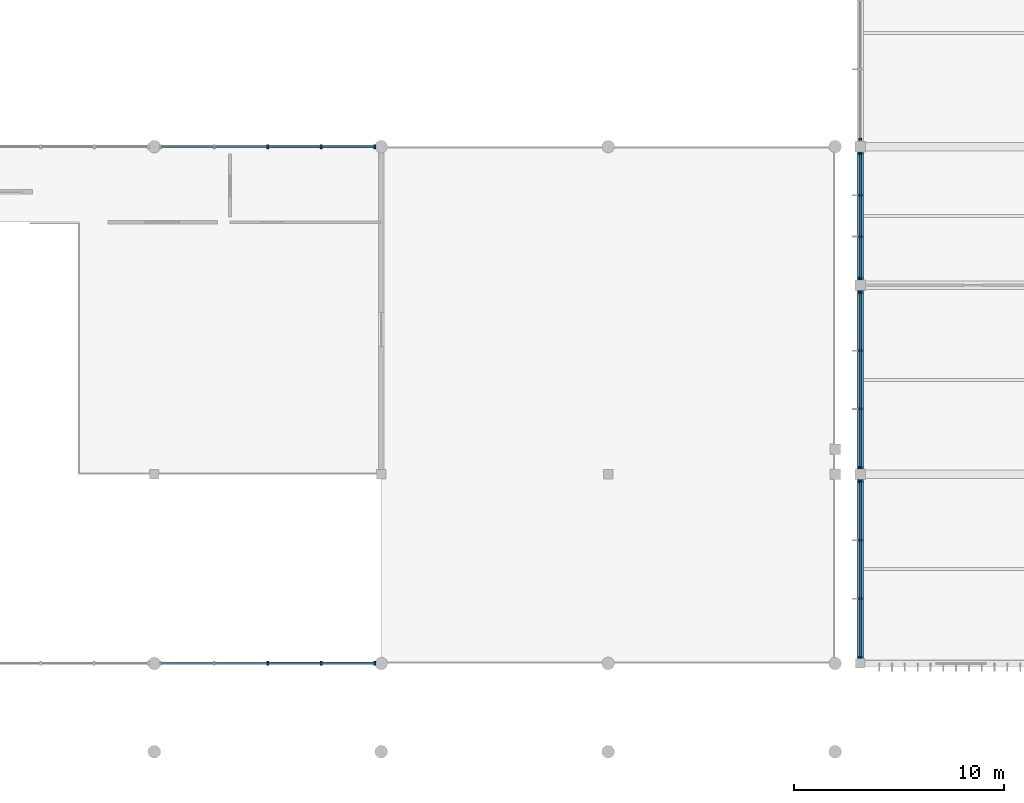
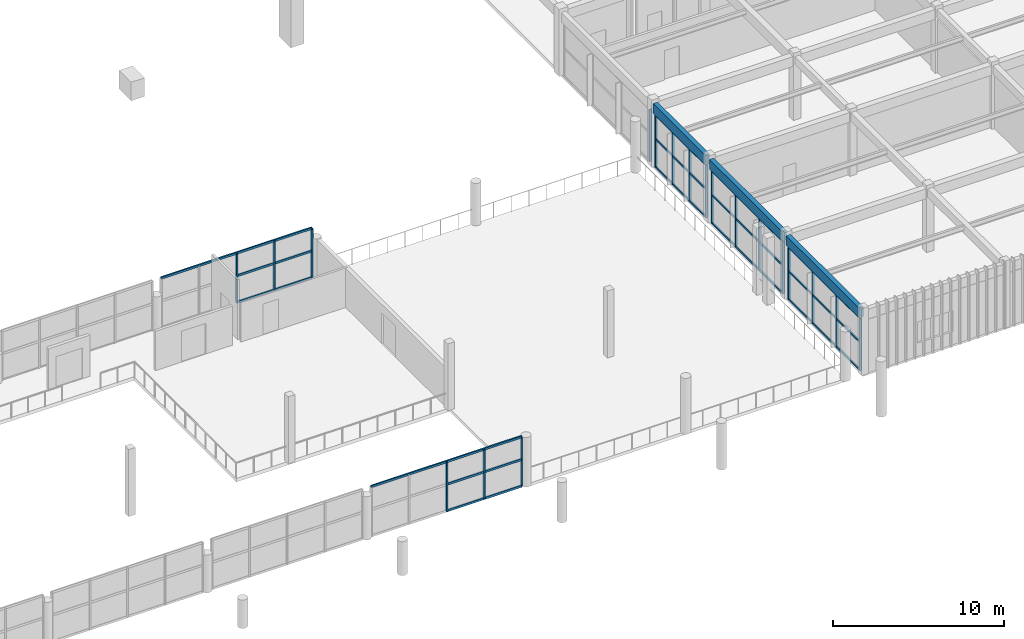
# One storey, part 27 of 74: 50 members, 3 beams, 6 elements without a shape of their own.
"""IFC4 building model written with IfcOpenShell, lengths in metres."""

from ifc_helpers import new_model, si_unit, direction, frame, origin, origin_2d, place, context, subcontext, project, spatial, rectangle, extrude, material, material_profile, profile_set, type_object, element, aggregate, save


model = new_model("IFC4")

# Units and contexts
model_context = context("Model", 3, precision=1e-05, world=origin(), true_north=direction((0.0, 1.0)))
body_context = subcontext(model_context, "Body", "Model", "MODEL_VIEW")
ifc_project = project(units=[si_unit("LENGTHUNIT", "METRE"), si_unit("AREAUNIT", "SQUARE_METRE"), si_unit("VOLUMEUNIT", "CUBIC_METRE"), si_unit("PLANEANGLEUNIT", "RADIAN"), si_unit("MASSUNIT", "GRAM", prefix="KILO")], contexts=[model_context])

# Site, building, storey
site_placement = place(None, origin())
site = spatial("IfcSite", under=ifc_project, at=site_placement, CompositionType="ELEMENT")
building_placement = place(site_placement, origin())
building = spatial("IfcBuilding", under=site, at=building_placement, Name="Suirenkawa Promenade Aquatics Centre", CompositionType="ELEMENT")
storey_placement = place(building_placement, frame((0.0, 0.0, 4.800048828125)))
storey = spatial("IfcBuildingStorey", under=building, at=storey_placement, Name="L01", CompositionType="ELEMENT", Elevation=4.800048828125)

# Beams
ifc_material_1 = material(Name="Concrete M40", Category="concrete")
ifc_material_profile_1 = material_profile(ifc_material_1, rectangle(XDim=0.300048828125, YDim=0.699951171875, at=origin_2d()), Name="RC SPANDREL 300x700", Category="concrete")
ifc_profile_set_1 = profile_set([ifc_material_profile_1], Name="Concrete M40")
beam_type = type_object("IfcBeamType", Name="BT-SPANDREL-300x700", PredefinedType="SPANDREL", material=ifc_profile_set_1)
beam_1_placement = place(storey_placement, frame((156.0, 4.4189453125, 4.18994140625), z_axis=(0.0, 1.0, 0.0), x_axis=(-1.0, 0.0, 0.0)))
element("IfcBeam", 1, at=beam_1_placement, inside=storey, type_object=beam_type, Name="Floor beam SP-01 BM-1699", PredefinedType="SPANDREL", context=body_context, shape_type="SweptSolid", body=[
    extrude(rectangle(XDim=0.300048828125, YDim=0.699951171875, at=origin_2d()), origin(), (0.0, 0.0, 1.0), 8.537109375),
])
beam_2_placement = place(storey_placement, frame((156.0, 13.444091796875, 4.18994140625), z_axis=(0.0, 1.0, 0.0), x_axis=(-1.0, 0.0, 0.0)))
element("IfcBeam", 2, at=beam_2_placement, inside=storey, type_object=beam_type, Name="Floor beam SP-01 BM-1700", PredefinedType="SPANDREL", context=body_context, shape_type="SweptSolid", body=[
    extrude(rectangle(XDim=0.300048828125, YDim=0.699951171875, at=origin_2d()), origin(), (0.0, 0.0, 1.0), 8.511962890625),
])
beam_3_placement = place(storey_placement, frame((156.0, 22.444091796875, 4.18994140625), z_axis=(0.0, 1.0, 0.0), x_axis=(-1.0, 0.0, 0.0)))
element("IfcBeam", 3, at=beam_3_placement, inside=storey, type_object=beam_type, Name="Floor beam SP-01 BM-1701", PredefinedType="SPANDREL", context=body_context, shape_type="SweptSolid", body=[
    extrude(rectangle(XDim=0.300048828125, YDim=0.699951171875, at=origin_2d()), origin(), (0.0, 0.0, 1.0), 6.11181640625),
])

# Curtain wall, members
ifc_material_2 = material(Name="Anodised aluminium 6063-T6", Category="aluminium")
curtain_wall_type_1 = type_object("IfcCurtainWallType", Name="CWAT-V4WL01-28", PredefinedType="NOTDEFINED", material=ifc_material_2)
curtain_wall_1_placement = place(storey_placement, origin())
curtain_wall_1 = element("IfcCurtainWall", 4, at=curtain_wall_1_placement, inside=storey, type_object=curtain_wall_type_1, Name="Curtain wall CWA-28 CW-071", PredefinedType="NOTDEFINED")
ifc_material_profile_2 = material_profile(ifc_material_2, rectangle(XDim=0.090087890625, YDim=0.159912109375, at=origin_2d()), Name="ALU MULL 90x160", Category="aluminium")
ifc_profile_set_2 = profile_set([ifc_material_profile_2], Name="Anodised aluminium 6063-T6")
member_type_1 = type_object("IfcMemberType", Name="CWM-160x90", PredefinedType="MULLION", material=ifc_profile_set_2)
member_1_placement = place(storey_placement, frame((156.0, 4.4990234375, 0.0), z_axis=(0.0, 0.0, 1.0), x_axis=(0.0, 1.0, 0.0)))
member_1 = element("IfcMember", 5, at=member_1_placement, type_object=member_type_1, Name="Mullion ML-03 CWM-01431", PredefinedType="MULLION", context=body_context, shape_type="SweptSolid", body=[
    extrude(rectangle(XDim=0.090087890625, YDim=0.159912109375, at=origin_2d()), origin(), (0.0, 0.0, 1.0), 3.719970703125),
])
member_2_placement = place(storey_placement, frame((156.0, 7.282958984375, 0.0), z_axis=(0.0, 0.0, 1.0), x_axis=(0.0, 1.0, 0.0)))
member_2 = element("IfcMember", 6, at=member_2_placement, type_object=member_type_1, Name="Mullion ML-03 CWM-01432", PredefinedType="MULLION", context=body_context, shape_type="SweptSolid", body=[
    extrude(rectangle(XDim=0.090087890625, YDim=0.159912109375, at=origin_2d()), origin(), (0.0, 0.0, 1.0), 3.719970703125),
])
member_3_placement = place(storey_placement, frame((156.0, 10.06689453125, 0.0), z_axis=(0.0, 0.0, 1.0), x_axis=(0.0, 1.0, 0.0)))
member_3 = element("IfcMember", 7, at=member_3_placement, type_object=member_type_1, Name="Mullion ML-03 CWM-01433", PredefinedType="MULLION", context=body_context, shape_type="SweptSolid", body=[
    extrude(rectangle(XDim=0.090087890625, YDim=0.159912109375, at=origin_2d()), origin(), (0.0, 0.0, 1.0), 3.719970703125),
])
member_4_placement = place(storey_placement, frame((156.0, 12.85107421875, 0.0), z_axis=(0.0, 0.0, 1.0), x_axis=(0.0, 1.0, 0.0)))
member_4 = element("IfcMember", 8, at=member_4_placement, type_object=member_type_1, Name="Mullion ML-03 CWM-01434", PredefinedType="MULLION", context=body_context, shape_type="SweptSolid", body=[
    extrude(rectangle(XDim=0.090087890625, YDim=0.159912109375, at=origin_2d()), origin(), (0.0, 0.0, 1.0), 3.719970703125),
])

curtain_wall_type_2 = type_object("IfcCurtainWallType", Name="CWAT-V4WL01-30", PredefinedType="NOTDEFINED", material=ifc_material_2)
curtain_wall_2_placement = place(storey_placement, origin())
curtain_wall_2 = element("IfcCurtainWall", 9, at=curtain_wall_2_placement, inside=storey, type_object=curtain_wall_type_2, Name="Curtain wall CWA-30 CW-073", PredefinedType="NOTDEFINED")
member_5_placement = place(storey_placement, frame((156.0, 13.549072265625, 0.0), z_axis=(0.0, 0.0, 1.0), x_axis=(0.0, 1.0, 0.0)))
member_5 = element("IfcMember", 10, at=member_5_placement, type_object=member_type_1, Name="Mullion ML-03 CWM-01465", PredefinedType="MULLION", context=body_context, shape_type="SweptSolid", body=[
    extrude(rectangle(XDim=0.090087890625, YDim=0.159912109375, at=origin_2d()), origin(), (0.0, 0.0, 1.0), 3.719970703125),
])
member_6_placement = place(storey_placement, frame((156.0, 16.31640625, 0.0), z_axis=(0.0, 0.0, 1.0), x_axis=(0.0, 1.0, 0.0)))
member_6 = element("IfcMember", 11, at=member_6_placement, type_object=member_type_1, Name="Mullion ML-03 CWM-01466", PredefinedType="MULLION", context=body_context, shape_type="SweptSolid", body=[
    extrude(rectangle(XDim=0.090087890625, YDim=0.159912109375, at=origin_2d()), origin(), (0.0, 0.0, 1.0), 3.719970703125),
])
member_7_placement = place(storey_placement, frame((156.0, 19.083740234375, 0.0), z_axis=(0.0, 0.0, 1.0), x_axis=(0.0, 1.0, 0.0)))
member_7 = element("IfcMember", 12, at=member_7_placement, type_object=member_type_1, Name="Mullion ML-03 CWM-01467", PredefinedType="MULLION", context=body_context, shape_type="SweptSolid", body=[
    extrude(rectangle(XDim=0.090087890625, YDim=0.159912109375, at=origin_2d()), origin(), (0.0, 0.0, 1.0), 3.719970703125),
])
member_8_placement = place(storey_placement, frame((156.0, 21.85107421875, 0.0), z_axis=(0.0, 0.0, 1.0), x_axis=(0.0, 1.0, 0.0)))
member_8 = element("IfcMember", 13, at=member_8_placement, type_object=member_type_1, Name="Mullion ML-03 CWM-01468", PredefinedType="MULLION", context=body_context, shape_type="SweptSolid", body=[
    extrude(rectangle(XDim=0.090087890625, YDim=0.159912109375, at=origin_2d()), origin(), (0.0, 0.0, 1.0), 3.719970703125),
])

curtain_wall_type_3 = type_object("IfcCurtainWallType", Name="CWAT-V4WL01-32", PredefinedType="NOTDEFINED", material=ifc_material_2)
curtain_wall_3_placement = place(storey_placement, origin())
curtain_wall_3 = element("IfcCurtainWall", 14, at=curtain_wall_3_placement, inside=storey, type_object=curtain_wall_type_3, Name="Curtain wall CWA-32 CW-075", PredefinedType="NOTDEFINED")
member_9_placement = place(storey_placement, frame((156.0, 22.549072265625, 0.0), z_axis=(0.0, 0.0, 1.0), x_axis=(0.0, 1.0, 0.0)))
member_9 = element("IfcMember", 15, at=member_9_placement, type_object=member_type_1, Name="Mullion ML-03 CWM-01499", PredefinedType="MULLION", context=body_context, shape_type="SweptSolid", body=[
    extrude(rectangle(XDim=0.090087890625, YDim=0.159912109375, at=origin_2d()), origin(), (0.0, 0.0, 1.0), 3.719970703125),
])
member_10_placement = place(storey_placement, frame((156.0, 24.516357421875, 0.0), z_axis=(0.0, 0.0, 1.0), x_axis=(0.0, 1.0, 0.0)))
member_10 = element("IfcMember", 16, at=member_10_placement, type_object=member_type_1, Name="Mullion ML-03 CWM-01500", PredefinedType="MULLION", context=body_context, shape_type="SweptSolid", body=[
    extrude(rectangle(XDim=0.090087890625, YDim=0.159912109375, at=origin_2d()), origin(), (0.0, 0.0, 1.0), 3.719970703125),
])
member_11_placement = place(storey_placement, frame((156.0, 26.483642578125, 0.0), z_axis=(0.0, 0.0, 1.0), x_axis=(0.0, 1.0, 0.0)))
member_11 = element("IfcMember", 17, at=member_11_placement, type_object=member_type_1, Name="Mullion ML-03 CWM-01501", PredefinedType="MULLION", context=body_context, shape_type="SweptSolid", body=[
    extrude(rectangle(XDim=0.090087890625, YDim=0.159912109375, at=origin_2d()), origin(), (0.0, 0.0, 1.0), 3.719970703125),
])
member_12_placement = place(storey_placement, frame((156.0, 28.450927734375, 0.0), z_axis=(0.0, 0.0, 1.0), x_axis=(0.0, 1.0, 0.0)))
member_12 = element("IfcMember", 18, at=member_12_placement, type_object=member_type_1, Name="Mullion ML-03 CWM-01502", PredefinedType="MULLION", context=body_context, shape_type="SweptSolid", body=[
    extrude(rectangle(XDim=0.090087890625, YDim=0.159912109375, at=origin_2d()), origin(), (0.0, 0.0, 1.0), 3.719970703125),
])

# Curtain wall, member
curtain_wall_type_4 = type_object("IfcCurtainWallType", Name="CWAT-V4WL01-34", PredefinedType="NOTDEFINED", material=ifc_material_2)
curtain_wall_4_placement = place(storey_placement, origin())
curtain_wall_4 = element("IfcCurtainWall", 19, at=curtain_wall_4_placement, inside=storey, type_object=curtain_wall_type_4, Name="Curtain wall CWA-34 CW-077", PredefinedType="NOTDEFINED")
member_13_placement = place(storey_placement, frame((156.0, 29.14892578125, 0.0), z_axis=(0.0, 0.0, 1.0), x_axis=(0.0, 1.0, 0.0)))
member_13 = element("IfcMember", 20, at=member_13_placement, type_object=member_type_1, Name="Mullion ML-03 CWM-01533", PredefinedType="MULLION", context=body_context, shape_type="SweptSolid", body=[
    extrude(rectangle(XDim=0.090087890625, YDim=0.159912109375, at=origin_2d()), origin(), (0.0, 0.0, 1.0), 3.719970703125),
])
aggregate(curtain_wall_4, [member_13])

# Curtain wall, members
curtain_wall_type_5 = type_object("IfcCurtainWallType", Name="CWAT-V3SL1-24", PredefinedType="NOTDEFINED", material=ifc_material_2)
curtain_wall_5_placement = place(storey_placement, origin())
curtain_wall_5 = element("IfcCurtainWall", 21, at=curtain_wall_5_placement, inside=storey, type_object=curtain_wall_type_5, Name="Curtain wall CWA-24 CW-065", PredefinedType="NOTDEFINED")
ifc_material_profile_3 = material_profile(ifc_material_2, rectangle(XDim=0.094970703125, YDim=0.18994140625, at=origin_2d()), Name="ALU MULL 95x190", Category="aluminium")
ifc_profile_set_3 = profile_set([ifc_material_profile_3], Name="Anodised aluminium 6063-T6")
member_type_2 = type_object("IfcMemberType", Name="CWM-190x95", PredefinedType="MULLION", material=ifc_profile_set_3)
member_14_placement = place(storey_placement, frame((132.90087890625, 4.199951171875, 0.0), z_axis=(0.0, 0.0, 1.0), x_axis=(-1.0, 0.0, 0.0)))
member_14 = element("IfcMember", 22, at=member_14_placement, type_object=member_type_2, Name="Mullion ML-02 CWM-01299", PredefinedType="MULLION", context=body_context, shape_type="SweptSolid", body=[
    extrude(rectangle(XDim=0.094970703125, YDim=0.18994140625, at=origin_2d()), origin(), (0.0, 0.0, 1.0), 3.52001953125),
])
member_15_placement = place(storey_placement, frame((130.3505859375, 4.199951171875, 0.0), z_axis=(0.0, 0.0, 1.0), x_axis=(-1.0, 0.0, 0.0)))
member_15 = element("IfcMember", 23, at=member_15_placement, type_object=member_type_2, Name="Mullion ML-02 CWM-01300", PredefinedType="MULLION", context=body_context, shape_type="SweptSolid", body=[
    extrude(rectangle(XDim=0.094970703125, YDim=0.18994140625, at=origin_2d()), origin(), (0.0, 0.0, 1.0), 3.52001953125),
])
member_16_placement = place(storey_placement, frame((127.800048828125, 4.199951171875, 0.0), z_axis=(0.0, 0.0, 1.0), x_axis=(-1.0, 0.0, 0.0)))
member_16 = element("IfcMember", 24, at=member_16_placement, type_object=member_type_2, Name="Mullion ML-02 CWM-01301", PredefinedType="MULLION", context=body_context, shape_type="SweptSolid", body=[
    extrude(rectangle(XDim=0.094970703125, YDim=0.18994140625, at=origin_2d()), origin(), (0.0, 0.0, 1.0), 3.52001953125),
])

curtain_wall_type_6 = type_object("IfcCurtainWallType", Name="CWAT-V3NL1-25", PredefinedType="NOTDEFINED", material=ifc_material_2)
curtain_wall_6_placement = place(storey_placement, origin())
curtain_wall_6 = element("IfcCurtainWall", 25, at=curtain_wall_6_placement, inside=storey, type_object=curtain_wall_type_6, Name="Curtain wall CWA-25 CW-066", PredefinedType="NOTDEFINED")
member_17_placement = place(storey_placement, frame((127.800048828125, 28.800048828125, 0.0), z_axis=(0.0, 0.0, 1.0), x_axis=(1.0, 0.0, 0.0)))
member_17 = element("IfcMember", 26, at=member_17_placement, type_object=member_type_2, Name="Mullion ML-02 CWM-01323", PredefinedType="MULLION", context=body_context, shape_type="SweptSolid", body=[
    extrude(rectangle(XDim=0.094970703125, YDim=0.18994140625, at=origin_2d()), origin(), (0.0, 0.0, 1.0), 3.52001953125),
])
member_18_placement = place(storey_placement, frame((130.3505859375, 28.800048828125, 0.0), z_axis=(0.0, 0.0, 1.0), x_axis=(1.0, 0.0, 0.0)))
member_18 = element("IfcMember", 27, at=member_18_placement, type_object=member_type_2, Name="Mullion ML-02 CWM-01324", PredefinedType="MULLION", context=body_context, shape_type="SweptSolid", body=[
    extrude(rectangle(XDim=0.094970703125, YDim=0.18994140625, at=origin_2d()), origin(), (0.0, 0.0, 1.0), 3.52001953125),
])
member_19_placement = place(storey_placement, frame((132.90087890625, 28.800048828125, 0.0), z_axis=(0.0, 0.0, 1.0), x_axis=(1.0, 0.0, 0.0)))
member_19 = element("IfcMember", 28, at=member_19_placement, type_object=member_type_2, Name="Mullion ML-02 CWM-01325", PredefinedType="MULLION", context=body_context, shape_type="SweptSolid", body=[
    extrude(rectangle(XDim=0.094970703125, YDim=0.18994140625, at=origin_2d()), origin(), (0.0, 0.0, 1.0), 3.52001953125),
])

# Member
ifc_material_profile_4 = material_profile(ifc_material_2, rectangle(XDim=0.090087890625, YDim=0.1298828125, at=origin_2d()), Name="ALU TRAN 90x130", Category="aluminium")
ifc_profile_set_4 = profile_set([ifc_material_profile_4], Name="Anodised aluminium 6063-T6")
member_type_3 = type_object("IfcMemberType", Name="CWT-130x90", PredefinedType="USERDEFINED", material=ifc_profile_set_4)
member_20_placement = place(storey_placement, frame((156.0, 4.4990234375, 0.0), z_axis=(0.0, 1.0, 0.0), x_axis=(-1.0, 0.0, 0.0)))
member_20 = element("IfcMember", 29, at=member_20_placement, type_object=member_type_3, Name="Transom TR-03 CWT-01435", ObjectType="TRANSOM", PredefinedType="USERDEFINED", context=body_context, shape_type="SweptSolid", body=[
    extrude(rectangle(XDim=0.090087890625, YDim=0.1298828125, at=origin_2d()), origin(), (0.0, 0.0, 1.0), 2.783935546875),
])

member_21_placement = place(storey_placement, frame((156.0, 7.282958984375, 0.0), z_axis=(0.0, 1.0, 0.0), x_axis=(-1.0, 0.0, 0.0)))
member_21 = element("IfcMember", 30, at=member_21_placement, type_object=member_type_3, Name="Transom TR-03 CWT-01436", ObjectType="TRANSOM", PredefinedType="USERDEFINED", context=body_context, shape_type="SweptSolid", body=[
    extrude(rectangle(XDim=0.090087890625, YDim=0.1298828125, at=origin_2d()), origin(), (0.0, 0.0, 1.0), 2.783935546875),
])

member_22_placement = place(storey_placement, frame((156.0, 10.06689453125, 0.0), z_axis=(0.0, 1.0, 0.0), x_axis=(-1.0, 0.0, 0.0)))
member_22 = element("IfcMember", 31, at=member_22_placement, type_object=member_type_3, Name="Transom TR-03 CWT-01437", ObjectType="TRANSOM", PredefinedType="USERDEFINED", context=body_context, shape_type="SweptSolid", body=[
    extrude(rectangle(XDim=0.090087890625, YDim=0.1298828125, at=origin_2d()), origin(), (0.0, 0.0, 1.0), 2.7841796875),
])

member_23_placement = place(storey_placement, frame((156.0, 4.4990234375, 2.0), z_axis=(0.0, 1.0, 0.0), x_axis=(-1.0, 0.0, 0.0)))
member_23 = element("IfcMember", 32, at=member_23_placement, type_object=member_type_3, Name="Transom TR-03 CWT-01438", ObjectType="TRANSOM", PredefinedType="USERDEFINED", context=body_context, shape_type="SweptSolid", body=[
    extrude(rectangle(XDim=0.090087890625, YDim=0.1298828125, at=origin_2d()), origin(), (0.0, 0.0, 1.0), 2.783935546875),
])

member_24_placement = place(storey_placement, frame((156.0, 7.282958984375, 2.0), z_axis=(0.0, 1.0, 0.0), x_axis=(-1.0, 0.0, 0.0)))
member_24 = element("IfcMember", 33, at=member_24_placement, type_object=member_type_3, Name="Transom TR-03 CWT-01439", ObjectType="TRANSOM", PredefinedType="USERDEFINED", context=body_context, shape_type="SweptSolid", body=[
    extrude(rectangle(XDim=0.090087890625, YDim=0.1298828125, at=origin_2d()), origin(), (0.0, 0.0, 1.0), 2.783935546875),
])

member_25_placement = place(storey_placement, frame((156.0, 10.06689453125, 2.0), z_axis=(0.0, 1.0, 0.0), x_axis=(-1.0, 0.0, 0.0)))
member_25 = element("IfcMember", 34, at=member_25_placement, type_object=member_type_3, Name="Transom TR-03 CWT-01440", ObjectType="TRANSOM", PredefinedType="USERDEFINED", context=body_context, shape_type="SweptSolid", body=[
    extrude(rectangle(XDim=0.090087890625, YDim=0.1298828125, at=origin_2d()), origin(), (0.0, 0.0, 1.0), 2.7841796875),
])

member_26_placement = place(storey_placement, frame((156.0, 4.4990234375, 3.719970703125), z_axis=(0.0, 1.0, 0.0), x_axis=(-1.0, 0.0, 0.0)))
member_26 = element("IfcMember", 35, at=member_26_placement, type_object=member_type_3, Name="Roofline transom TR-03 CWT-01441", ObjectType="TRANSOM", PredefinedType="USERDEFINED", context=body_context, shape_type="SweptSolid", body=[
    extrude(rectangle(XDim=0.090087890625, YDim=0.1298828125, at=origin_2d()), origin(), (0.0, 0.0, 1.0), 8.35205078125),
])

aggregate(curtain_wall_1, [member_1, member_2, member_3, member_4, member_20, member_21, member_22, member_23, member_24, member_25, member_26])

member_27_placement = place(storey_placement, frame((156.0, 13.549072265625, 0.0), z_axis=(0.0, 1.0, 0.0), x_axis=(-1.0, 0.0, 0.0)))
member_27 = element("IfcMember", 36, at=member_27_placement, type_object=member_type_3, Name="Transom TR-03 CWT-01469", ObjectType="TRANSOM", PredefinedType="USERDEFINED", context=body_context, shape_type="SweptSolid", body=[
    extrude(rectangle(XDim=0.090087890625, YDim=0.1298828125, at=origin_2d()), origin(), (0.0, 0.0, 1.0), 2.767333984375),
])

member_28_placement = place(storey_placement, frame((156.0, 16.31640625, 0.0), z_axis=(0.0, 1.0, 0.0), x_axis=(-1.0, 0.0, 0.0)))
member_28 = element("IfcMember", 37, at=member_28_placement, type_object=member_type_3, Name="Transom TR-03 CWT-01470", ObjectType="TRANSOM", PredefinedType="USERDEFINED", context=body_context, shape_type="SweptSolid", body=[
    extrude(rectangle(XDim=0.090087890625, YDim=0.1298828125, at=origin_2d()), origin(), (0.0, 0.0, 1.0), 2.767333984375),
])

member_29_placement = place(storey_placement, frame((156.0, 19.083740234375, 0.0), z_axis=(0.0, 1.0, 0.0), x_axis=(-1.0, 0.0, 0.0)))
member_29 = element("IfcMember", 38, at=member_29_placement, type_object=member_type_3, Name="Transom TR-03 CWT-01471", ObjectType="TRANSOM", PredefinedType="USERDEFINED", context=body_context, shape_type="SweptSolid", body=[
    extrude(rectangle(XDim=0.090087890625, YDim=0.1298828125, at=origin_2d()), origin(), (0.0, 0.0, 1.0), 2.767333984375),
])

member_30_placement = place(storey_placement, frame((156.0, 13.549072265625, 2.0), z_axis=(0.0, 1.0, 0.0), x_axis=(-1.0, 0.0, 0.0)))
member_30 = element("IfcMember", 39, at=member_30_placement, type_object=member_type_3, Name="Transom TR-03 CWT-01472", ObjectType="TRANSOM", PredefinedType="USERDEFINED", context=body_context, shape_type="SweptSolid", body=[
    extrude(rectangle(XDim=0.090087890625, YDim=0.1298828125, at=origin_2d()), origin(), (0.0, 0.0, 1.0), 2.767333984375),
])

member_31_placement = place(storey_placement, frame((156.0, 16.31640625, 2.0), z_axis=(0.0, 1.0, 0.0), x_axis=(-1.0, 0.0, 0.0)))
member_31 = element("IfcMember", 40, at=member_31_placement, type_object=member_type_3, Name="Transom TR-03 CWT-01473", ObjectType="TRANSOM", PredefinedType="USERDEFINED", context=body_context, shape_type="SweptSolid", body=[
    extrude(rectangle(XDim=0.090087890625, YDim=0.1298828125, at=origin_2d()), origin(), (0.0, 0.0, 1.0), 2.767333984375),
])

member_32_placement = place(storey_placement, frame((156.0, 19.083740234375, 2.0), z_axis=(0.0, 1.0, 0.0), x_axis=(-1.0, 0.0, 0.0)))
member_32 = element("IfcMember", 41, at=member_32_placement, type_object=member_type_3, Name="Transom TR-03 CWT-01474", ObjectType="TRANSOM", PredefinedType="USERDEFINED", context=body_context, shape_type="SweptSolid", body=[
    extrude(rectangle(XDim=0.090087890625, YDim=0.1298828125, at=origin_2d()), origin(), (0.0, 0.0, 1.0), 2.767333984375),
])

member_33_placement = place(storey_placement, frame((156.0, 13.549072265625, 3.719970703125), z_axis=(0.0, 1.0, 0.0), x_axis=(-1.0, 0.0, 0.0)))
member_33 = element("IfcMember", 42, at=member_33_placement, type_object=member_type_3, Name="Roofline transom TR-03 CWT-01475", ObjectType="TRANSOM", PredefinedType="USERDEFINED", context=body_context, shape_type="SweptSolid", body=[
    extrude(rectangle(XDim=0.090087890625, YDim=0.1298828125, at=origin_2d()), origin(), (0.0, 0.0, 1.0), 8.302001953125),
])

aggregate(curtain_wall_2, [member_5, member_6, member_7, member_8, member_27, member_28, member_29, member_30, member_31, member_32, member_33])

member_34_placement = place(storey_placement, frame((156.0, 22.549072265625, 0.0), z_axis=(0.0, 1.0, 0.0), x_axis=(-1.0, 0.0, 0.0)))
member_34 = element("IfcMember", 43, at=member_34_placement, type_object=member_type_3, Name="Transom TR-03 CWT-01503", ObjectType="TRANSOM", PredefinedType="USERDEFINED", context=body_context, shape_type="SweptSolid", body=[
    extrude(rectangle(XDim=0.090087890625, YDim=0.1298828125, at=origin_2d()), origin(), (0.0, 0.0, 1.0), 1.96728515625),
])

member_35_placement = place(storey_placement, frame((156.0, 24.516357421875, 0.0), z_axis=(0.0, 1.0, 0.0), x_axis=(-1.0, 0.0, 0.0)))
member_35 = element("IfcMember", 44, at=member_35_placement, type_object=member_type_3, Name="Transom TR-03 CWT-01504", ObjectType="TRANSOM", PredefinedType="USERDEFINED", context=body_context, shape_type="SweptSolid", body=[
    extrude(rectangle(XDim=0.090087890625, YDim=0.1298828125, at=origin_2d()), origin(), (0.0, 0.0, 1.0), 1.96728515625),
])

member_36_placement = place(storey_placement, frame((156.0, 26.483642578125, 0.0), z_axis=(0.0, 1.0, 0.0), x_axis=(-1.0, 0.0, 0.0)))
member_36 = element("IfcMember", 45, at=member_36_placement, type_object=member_type_3, Name="Transom TR-03 CWT-01505", ObjectType="TRANSOM", PredefinedType="USERDEFINED", context=body_context, shape_type="SweptSolid", body=[
    extrude(rectangle(XDim=0.090087890625, YDim=0.1298828125, at=origin_2d()), origin(), (0.0, 0.0, 1.0), 1.96728515625),
])

member_37_placement = place(storey_placement, frame((156.0, 22.549072265625, 2.0), z_axis=(0.0, 1.0, 0.0), x_axis=(-1.0, 0.0, 0.0)))
member_37 = element("IfcMember", 46, at=member_37_placement, type_object=member_type_3, Name="Transom TR-03 CWT-01506", ObjectType="TRANSOM", PredefinedType="USERDEFINED", context=body_context, shape_type="SweptSolid", body=[
    extrude(rectangle(XDim=0.090087890625, YDim=0.1298828125, at=origin_2d()), origin(), (0.0, 0.0, 1.0), 1.96728515625),
])

member_38_placement = place(storey_placement, frame((156.0, 24.516357421875, 2.0), z_axis=(0.0, 1.0, 0.0), x_axis=(-1.0, 0.0, 0.0)))
member_38 = element("IfcMember", 47, at=member_38_placement, type_object=member_type_3, Name="Transom TR-03 CWT-01507", ObjectType="TRANSOM", PredefinedType="USERDEFINED", context=body_context, shape_type="SweptSolid", body=[
    extrude(rectangle(XDim=0.090087890625, YDim=0.1298828125, at=origin_2d()), origin(), (0.0, 0.0, 1.0), 1.96728515625),
])

member_39_placement = place(storey_placement, frame((156.0, 26.483642578125, 2.0), z_axis=(0.0, 1.0, 0.0), x_axis=(-1.0, 0.0, 0.0)))
member_39 = element("IfcMember", 48, at=member_39_placement, type_object=member_type_3, Name="Transom TR-03 CWT-01508", ObjectType="TRANSOM", PredefinedType="USERDEFINED", context=body_context, shape_type="SweptSolid", body=[
    extrude(rectangle(XDim=0.090087890625, YDim=0.1298828125, at=origin_2d()), origin(), (0.0, 0.0, 1.0), 1.96728515625),
])

member_40_placement = place(storey_placement, frame((156.0, 22.549072265625, 3.719970703125), z_axis=(0.0, 1.0, 0.0), x_axis=(-1.0, 0.0, 0.0)))
member_40 = element("IfcMember", 49, at=member_40_placement, type_object=member_type_3, Name="Roofline transom TR-03 CWT-01509", ObjectType="TRANSOM", PredefinedType="USERDEFINED", context=body_context, shape_type="SweptSolid", body=[
    extrude(rectangle(XDim=0.090087890625, YDim=0.1298828125, at=origin_2d()), origin(), (0.0, 0.0, 1.0), 5.90185546875),
])

aggregate(curtain_wall_3, [member_9, member_10, member_11, member_12, member_34, member_35, member_36, member_37, member_38, member_39, member_40])

ifc_material_profile_5 = material_profile(ifc_material_2, rectangle(XDim=0.094970703125, YDim=0.14990234375, at=origin_2d()), Name="ALU TRAN 95x150", Category="aluminium")
ifc_profile_set_5 = profile_set([ifc_material_profile_5], Name="Anodised aluminium 6063-T6")
member_type_4 = type_object("IfcMemberType", Name="CWT-150x95", PredefinedType="USERDEFINED", material=ifc_profile_set_5)
member_41_placement = place(storey_placement, frame((132.90087890625, 4.199951171875, 0.0), z_axis=(-1.0, 0.0, 0.0), x_axis=(0.0, -1.0, 0.0)))
member_41 = element("IfcMember", 50, at=member_41_placement, type_object=member_type_4, Name="Transom TR-02 CWT-01304", ObjectType="TRANSOM", PredefinedType="USERDEFINED", context=body_context, shape_type="SweptSolid", body=[
    extrude(rectangle(XDim=0.094970703125, YDim=0.14990234375, at=origin_2d()), origin(), (0.0, 0.0, 1.0), 2.55029296875),
])

member_42_placement = place(storey_placement, frame((130.3505859375, 4.199951171875, 0.0), z_axis=(-1.0, 0.0, 0.0), x_axis=(0.0, -1.0, 0.0)))
member_42 = element("IfcMember", 51, at=member_42_placement, type_object=member_type_4, Name="Transom TR-02 CWT-01305", ObjectType="TRANSOM", PredefinedType="USERDEFINED", context=body_context, shape_type="SweptSolid", body=[
    extrude(rectangle(XDim=0.094970703125, YDim=0.14990234375, at=origin_2d()), origin(), (0.0, 0.0, 1.0), 2.550537109375),
])

member_43_placement = place(storey_placement, frame((132.90087890625, 4.199951171875, 1.89990234375), z_axis=(-1.0, 0.0, 0.0), x_axis=(0.0, -1.0, 0.0)))
member_43 = element("IfcMember", 52, at=member_43_placement, type_object=member_type_4, Name="Transom TR-02 CWT-01308", ObjectType="TRANSOM", PredefinedType="USERDEFINED", context=body_context, shape_type="SweptSolid", body=[
    extrude(rectangle(XDim=0.094970703125, YDim=0.14990234375, at=origin_2d()), origin(), (0.0, 0.0, 1.0), 2.55029296875),
])

member_44_placement = place(storey_placement, frame((130.3505859375, 4.199951171875, 1.89990234375), z_axis=(-1.0, 0.0, 0.0), x_axis=(0.0, -1.0, 0.0)))
member_44 = element("IfcMember", 53, at=member_44_placement, type_object=member_type_4, Name="Transom TR-02 CWT-01309", ObjectType="TRANSOM", PredefinedType="USERDEFINED", context=body_context, shape_type="SweptSolid", body=[
    extrude(rectangle(XDim=0.094970703125, YDim=0.14990234375, at=origin_2d()), origin(), (0.0, 0.0, 1.0), 2.550537109375),
])

member_45_placement = place(storey_placement, frame((132.90087890625, 4.199951171875, 3.52001953125), z_axis=(-1.0, 0.0, 0.0), x_axis=(0.0, -1.0, 0.0)))
member_45 = element("IfcMember", 54, at=member_45_placement, type_object=member_type_4, Name="Roofline transom TR-02 CWT-01312", ObjectType="TRANSOM", PredefinedType="USERDEFINED", context=body_context, shape_type="SweptSolid", body=[
    extrude(rectangle(XDim=0.094970703125, YDim=0.14990234375, at=origin_2d()), origin(), (0.0, 0.0, 1.0), 10.201904296875),
])

aggregate(curtain_wall_5, [member_14, member_15, member_16, member_41, member_42, member_43, member_44, member_45])

member_46_placement = place(storey_placement, frame((127.800048828125, 28.800048828125, 0.0), z_axis=(1.0, 0.0, 0.0), x_axis=(0.0, 1.0, 0.0)))
member_46 = element("IfcMember", 55, at=member_46_placement, type_object=member_type_4, Name="Transom TR-02 CWT-01328", ObjectType="TRANSOM", PredefinedType="USERDEFINED", context=body_context, shape_type="SweptSolid", body=[
    extrude(rectangle(XDim=0.094970703125, YDim=0.14990234375, at=origin_2d()), origin(), (0.0, 0.0, 1.0), 2.550537109375),
])

member_47_placement = place(storey_placement, frame((130.3505859375, 28.800048828125, 0.0), z_axis=(1.0, 0.0, 0.0), x_axis=(0.0, 1.0, 0.0)))
member_47 = element("IfcMember", 56, at=member_47_placement, type_object=member_type_4, Name="Transom TR-02 CWT-01329", ObjectType="TRANSOM", PredefinedType="USERDEFINED", context=body_context, shape_type="SweptSolid", body=[
    extrude(rectangle(XDim=0.094970703125, YDim=0.14990234375, at=origin_2d()), origin(), (0.0, 0.0, 1.0), 2.55029296875),
])

member_48_placement = place(storey_placement, frame((127.800048828125, 28.800048828125, 1.89990234375), z_axis=(1.0, 0.0, 0.0), x_axis=(0.0, 1.0, 0.0)))
member_48 = element("IfcMember", 57, at=member_48_placement, type_object=member_type_4, Name="Transom TR-02 CWT-01332", ObjectType="TRANSOM", PredefinedType="USERDEFINED", context=body_context, shape_type="SweptSolid", body=[
    extrude(rectangle(XDim=0.094970703125, YDim=0.14990234375, at=origin_2d()), origin(), (0.0, 0.0, 1.0), 2.550537109375),
])

member_49_placement = place(storey_placement, frame((130.3505859375, 28.800048828125, 1.89990234375), z_axis=(1.0, 0.0, 0.0), x_axis=(0.0, 1.0, 0.0)))
member_49 = element("IfcMember", 58, at=member_49_placement, type_object=member_type_4, Name="Transom TR-02 CWT-01333", ObjectType="TRANSOM", PredefinedType="USERDEFINED", context=body_context, shape_type="SweptSolid", body=[
    extrude(rectangle(XDim=0.094970703125, YDim=0.14990234375, at=origin_2d()), origin(), (0.0, 0.0, 1.0), 2.55029296875),
])

member_50_placement = place(storey_placement, frame((122.698974609375, 28.800048828125, 3.52001953125), z_axis=(1.0, 0.0, 0.0), x_axis=(0.0, 1.0, 0.0)))
member_50 = element("IfcMember", 59, at=member_50_placement, type_object=member_type_4, Name="Roofline transom TR-02 CWT-01334", ObjectType="TRANSOM", PredefinedType="USERDEFINED", context=body_context, shape_type="SweptSolid", body=[
    extrude(rectangle(XDim=0.094970703125, YDim=0.14990234375, at=origin_2d()), origin(), (0.0, 0.0, 1.0), 10.201904296875),
])

aggregate(curtain_wall_6, [member_17, member_18, member_19, member_46, member_47, member_48, member_49, member_50])

save(model, "model.ifc")
